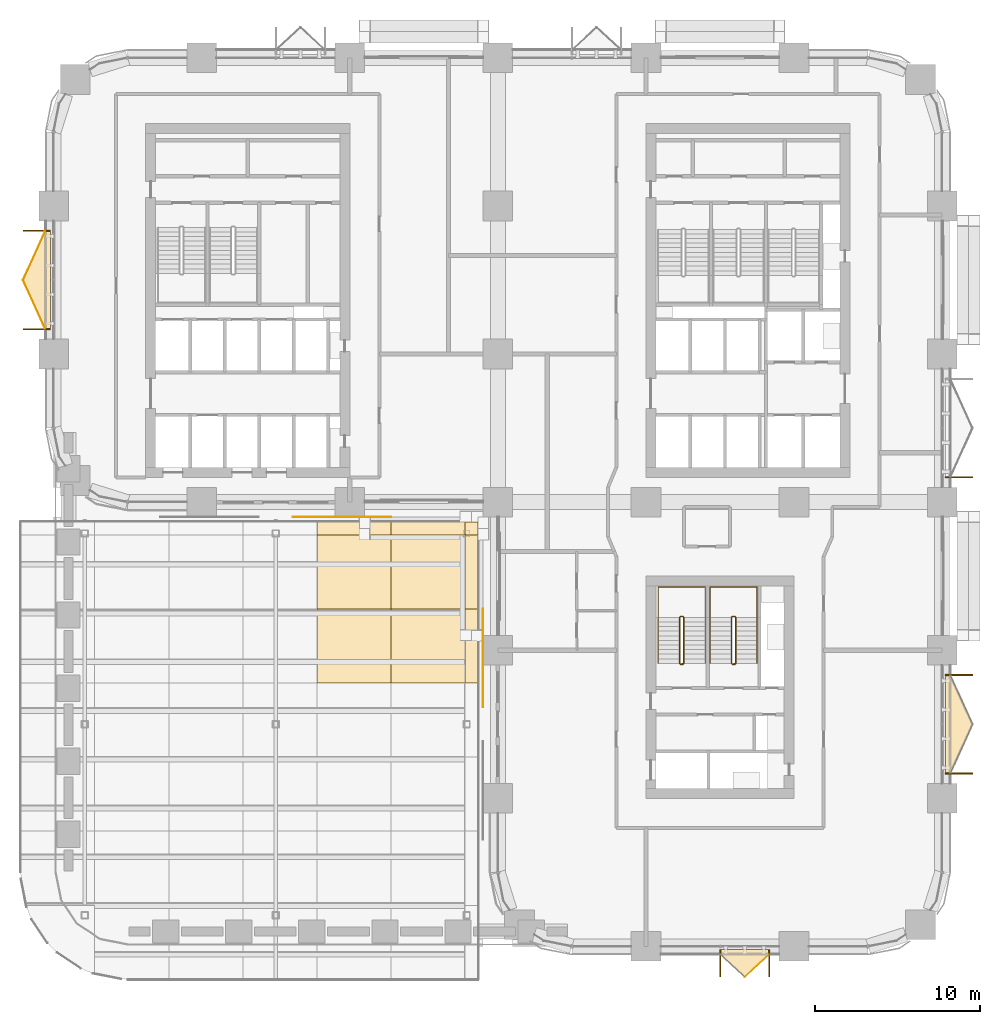
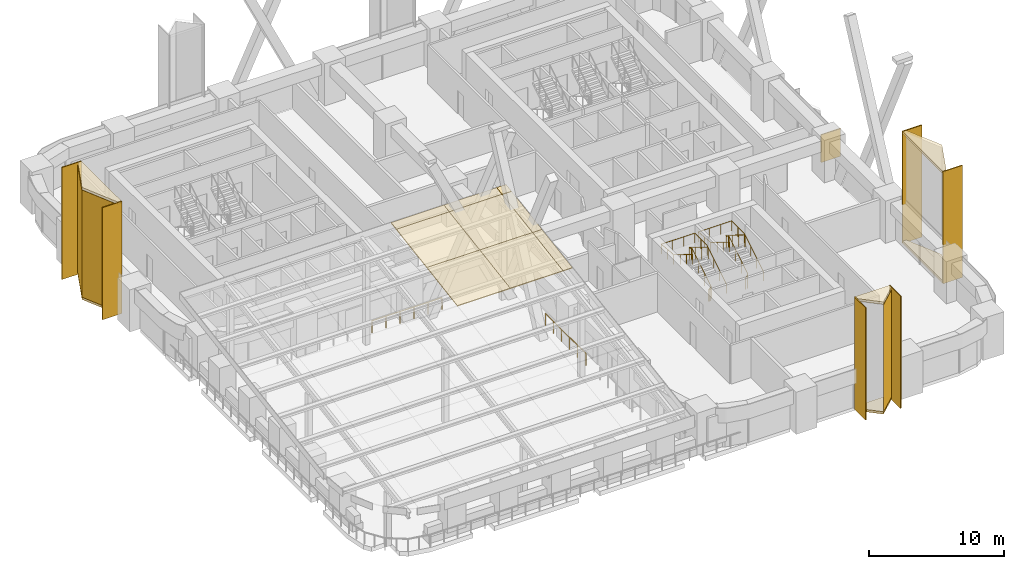
# One storey, part 20 of 22: 25 coverings, 6 railings.
"""IFC4 building model written with IfcOpenShell, lengths in metres."""

from ifc_helpers import new_model, si_unit, direction, frame, origin, origin_2d, place, context, subcontext, project, spatial, polyline, rectangle, circle, outline, extrude, material, layer, layer_set, type_object, element, save


model = new_model("IFC4")

# Units and contexts
model_context = context("Model", 3, precision=1e-05, world=origin(), true_north=direction((0.0, 1.0)))
body_context = subcontext(model_context, "Body", "Model", "MODEL_VIEW")
ifc_project = project(units=[si_unit("LENGTHUNIT", "METRE"), si_unit("AREAUNIT", "SQUARE_METRE"), si_unit("VOLUMEUNIT", "CUBIC_METRE"), si_unit("PLANEANGLEUNIT", "RADIAN"), si_unit("MASSUNIT", "GRAM", prefix="KILO")], contexts=[model_context])

# Site, building, storey
site_placement = place(None, origin())
site = spatial("IfcSite", under=ifc_project, at=site_placement, CompositionType="ELEMENT")
building_placement = place(site_placement, origin())
building = spatial("IfcBuilding", under=site, at=building_placement, Name="Tessera Arch", CompositionType="ELEMENT")
storey_placement = place(building_placement, frame((0.0, 0.0, 77.800048828125)))
storey = spatial("IfcBuildingStorey", under=building, at=storey_placement, Name="L17", CompositionType="ELEMENT", Elevation=77.800048828125)

# Coverings
ifc_material_1 = material(Name="Aluminium cladding pale metal anodised", Category="aluminium")
ifc_layer_1 = layer(ifc_material_1, 0.080078125)
ifc_layer_set_1 = layer_set([ifc_layer_1], Name="Canopy panel pale metal")
covering_type_1 = type_object("IfcCoveringType", Name="Canopy panel pale metal", PredefinedType="CLADDING", material=ifc_layer_set_1)
covering_1_placement = place(storey_placement, frame((20.5, 16.0, 8.05078125), z_axis=(0.0, -0.156468860961, 0.987682892203), x_axis=(0.0, 0.987682892203, 0.156468860961)))
element("IfcCovering", 1, at=covering_1_placement, inside=storey, type_object=covering_type_1, Name="CANOPY T4 panel 5-5", PredefinedType="CLADDING", context=body_context, shape_type="SweptSolid", body=[
    extrude(outline(polyline([(0.0, 0.0), (4.556118198994939, 0.0), (4.556118198994939, 4.5), (0.0, 4.5), (0.0, 0.0)])), origin(), (0.0, 0.0, -1.0), 0.080078125),
])
covering_2_placement = place(storey_placement, frame((20.5, 20.5, 8.763671875), z_axis=(0.0, -0.156416586978, 0.987691172036), x_axis=(0.0, 0.987691172036, 0.156416586978)))
element("IfcCovering", 2, at=covering_2_placement, inside=storey, type_object=covering_type_1, Name="CANOPY T4 panel 5-6", PredefinedType="CLADDING", context=body_context, shape_type="SweptSolid", body=[
    extrude(outline(polyline([(0.0, 0.0), (4.556080004970506, 0.0), (4.556080004970506, 4.5), (0.0, 4.5), (0.0, 0.0)])), origin(), (0.0, 0.0, -1.0), 0.080078125),
])
covering_3_placement = place(storey_placement, frame((16.0, 25.800048828125, 9.60302734375), z_axis=(0.0, -0.15642687598, 0.987689542554), x_axis=(0.0, -0.987689542554, -0.15642687598)))
element("IfcCovering", 3, at=covering_3_placement, inside=storey, type_object=covering_type_1, Name="CANOPY T4 panel 5-7", PredefinedType="CLADDING", context=body_context, shape_type="SweptSolid", body=[
    extrude(outline(polyline([(0.0, 0.0), (0.8100205516562711, 0.0), (0.8100205516562711, 4.5), (0.0, 4.5), (0.0, 0.0)])), origin(), (0.0, 0.0, -1.0), 0.080078125),
])
covering_4_placement = place(storey_placement, frame((25.0, 16.0, 8.05078125), z_axis=(0.0, -0.156468860961, 0.987682892203), x_axis=(0.0, 0.987682892203, 0.156468860961)))
element("IfcCovering", 4, at=covering_4_placement, inside=storey, type_object=covering_type_1, Name="CANOPY T4 panel 6-5", PredefinedType="CLADDING", context=body_context, shape_type="SweptSolid", body=[
    extrude(outline(polyline([(0.0, 0.0), (4.556118198994939, 0.0), (4.556118198994939, 4.5), (0.0, 4.5), (0.0, 0.0)])), origin(), (0.0, 0.0, -1.0), 0.080078125),
])
covering_5_placement = place(storey_placement, frame((25.0, 20.5, 8.763671875), z_axis=(0.0, -0.156416586978, 0.987691172036), x_axis=(0.0, 0.987691172036, 0.156416586978)))
element("IfcCovering", 5, at=covering_5_placement, inside=storey, type_object=covering_type_1, Name="CANOPY T4 panel 6-6", PredefinedType="CLADDING", context=body_context, shape_type="SweptSolid", body=[
    extrude(outline(polyline([(0.0, 0.0), (4.556080004970506, 0.0), (4.556080004970506, 4.5), (0.0, 4.5), (0.0, 0.0)])), origin(), (0.0, 0.0, -1.0), 0.080078125),
])
covering_6_placement = place(storey_placement, frame((20.5, 25.800048828125, 9.60302734375), z_axis=(0.0, -0.15642687598, 0.987689542554), x_axis=(0.0, -0.987689542554, -0.15642687598)))
element("IfcCovering", 6, at=covering_6_placement, inside=storey, type_object=covering_type_1, Name="CANOPY T4 panel 6-7", PredefinedType="CLADDING", context=body_context, shape_type="SweptSolid", body=[
    extrude(outline(polyline([(0.0, 0.0), (0.8100205516562711, 0.0), (0.8100205516562711, 4.5), (0.0, 4.5), (0.0, 0.0)])), origin(), (0.0, 0.0, -1.0), 0.080078125),
])
covering_7_placement = place(storey_placement, frame((25.800048828125, 20.5, 8.763671875), z_axis=(0.0, -0.156468860961, 0.987682892203), x_axis=(-1.0, 0.0, 0.0)))
element("IfcCovering", 7, at=covering_7_placement, inside=storey, type_object=covering_type_1, Name="CANOPY T4 panel 7-5", PredefinedType="CLADDING", context=body_context, shape_type="SweptSolid", body=[
    extrude(outline(polyline([(0.0, 0.0), (0.800048828125, 0.0), (0.800048828125, 4.556118198994938), (0.0, 4.556118198994938), (0.0, 0.0)])), origin(), (0.0, 0.0, -1.0), 0.080078125),
])
covering_8_placement = place(storey_placement, frame((25.800048828125, 25.0, 9.476318359375), z_axis=(0.0, -0.156416586978, 0.987691172036), x_axis=(-1.0, 0.0, 0.0)))
element("IfcCovering", 8, at=covering_8_placement, inside=storey, type_object=covering_type_1, Name="CANOPY T4 panel 7-6", PredefinedType="CLADDING", context=body_context, shape_type="SweptSolid", body=[
    extrude(outline(polyline([(0.0, 0.0), (0.800048828125, 0.0), (0.800048828125, 4.556080004970506), (0.0, 4.556080004970506), (0.0, 0.0)])), origin(), (0.0, 0.0, -1.0), 0.080078125),
])
covering_9_placement = place(storey_placement, frame((25.0, 25.800048828125, 9.60302734375), z_axis=(0.0, -0.15642687598, 0.987689542554), x_axis=(0.0, -0.987689542554, -0.15642687598)))
element("IfcCovering", 9, at=covering_9_placement, inside=storey, type_object=covering_type_1, Name="CANOPY T4 panel 7-7", PredefinedType="CLADDING", context=body_context, shape_type="SweptSolid", body=[
    extrude(outline(polyline([(0.0, 0.0), (0.8100205516562711, 0.0), (0.8100205516562711, 0.800048828125), (0.0, 0.800048828125), (0.0, 0.0)])), origin(), (0.0, 0.0, -1.0), 0.080078125),
])

# Railings
ifc_material_2 = material(Name="Stainless steel and clear glass", Category="steel")
railing_type_1 = type_object("IfcRailingType", Name="Guard 1100", PredefinedType="GUARDRAIL", material=ifc_material_2)
railing_1_placement = place(storey_placement, frame((14.550048828125, 26.10009765625, 0.0)))
element("IfcRailing", 10, at=railing_1_placement, inside=storey, type_object=railing_type_1, Name="Guard terrace wall side 1.2", PredefinedType="GUARDRAIL", context=body_context, shape_type="SweptSolid", body=[
    extrude(circle(Radius=0.02490234375, at=origin_2d()), frame((-0.00390625, 0.0, 1.0751953125), z_axis=(1.0, 0.0, 0.0), x_axis=(0.0, 1.0, 0.0)), (0.0, 0.0, 1.0), 5.9580078125),
    extrude(circle(Radius=0.02001953125, at=origin_2d()), origin(), (0.0, 0.0, 1.0), 1.06201171875),
    extrude(circle(Radius=0.02001953125, at=origin_2d()), frame((1.18994140625, 0.0, 0.0)), (0.0, 0.0, 1.0), 1.06201171875),
    extrude(circle(Radius=0.02001953125, at=origin_2d()), frame((2.3798828125, 0.0, 0.0)), (0.0, 0.0, 1.0), 1.06201171875),
    extrude(circle(Radius=0.02001953125, at=origin_2d()), frame((3.570068359375, 0.0, 0.0)), (0.0, 0.0, 1.0), 1.06201171875),
    extrude(circle(Radius=0.02001953125, at=origin_2d()), frame((4.760009765625, 0.0, 0.0)), (0.0, 0.0, 1.0), 1.06201171875),
    extrude(circle(Radius=0.02001953125, at=origin_2d()), frame((5.949951171875, 0.0, 0.0)), (0.0, 0.0, 1.0), 1.06201171875),
])
railing_2_placement = place(storey_placement, frame((26.10009765625, 20.5, 0.0)))
element("IfcRailing", 11, at=railing_2_placement, inside=storey, type_object=railing_type_1, Name="Guard terrace wall side 1.3", PredefinedType="GUARDRAIL", context=body_context, shape_type="SweptSolid", body=[
    extrude(circle(Radius=0.02490234375, at=origin_2d()), frame((0.0, 0.00390625, 1.0751953125), z_axis=(0.0, -1.0, 0.0), x_axis=(1.0, 0.0, 0.0)), (0.0, 0.0, 1.0), 5.9580078125),
    extrude(circle(Radius=0.02001953125, at=origin_2d()), origin(), (0.0, 0.0, 1.0), 1.06201171875),
    extrude(circle(Radius=0.02001953125, at=origin_2d()), frame((0.0, -1.18994140625, 0.0)), (0.0, 0.0, 1.0), 1.06201171875),
    extrude(circle(Radius=0.02001953125, at=origin_2d()), frame((0.0, -2.3798828125, 0.0)), (0.0, 0.0, 1.0), 1.06201171875),
    extrude(circle(Radius=0.02001953125, at=origin_2d()), frame((0.0, -3.570068359375, 0.0)), (0.0, 0.0, 1.0), 1.06201171875),
    extrude(circle(Radius=0.02001953125, at=origin_2d()), frame((0.0, -4.760009765625, 0.0)), (0.0, 0.0, 1.0), 1.06201171875),
    extrude(circle(Radius=0.02001953125, at=origin_2d()), frame((0.0, -5.949951171875, 0.0)), (0.0, 0.0, 1.0), 1.06201171875),
])
ifc_material_3 = material(Name="Painted steel balustrade", Category="steel")
railing_type_2 = type_object("IfcRailingType", Name="Stair guard 1100", PredefinedType="GUARDRAIL", material=ifc_material_3)
railing_3_placement = place(storey_placement, frame((38.25, 17.14990234375, 0.0)))
element("IfcRailing", 12, at=railing_3_placement, inside=storey, type_object=railing_type_2, Name="L17 S3a stair guard 1", PredefinedType="GUARDRAIL", context=body_context, shape_type="SweptSolid", body=[
    extrude(circle(Radius=0.02392578125, at=origin_2d()), frame((0.00390625, 0.0, 1.076171875), z_axis=(-1.0, 0.0, 0.0), x_axis=(0.0, -1.0, 0.0)), (0.0, 0.0, 1.0), 0.157958984375),
    extrude(circle(Radius=0.02392578125, at=origin_2d()), frame((-0.15283203125, -0.000732421875, 1.073486328125), z_axis=(0.743736083135, 0.18616104645, 0.642028584587), x_axis=(-0.242814311512, 0.970072785993, 0.0)), (0.0, 0.0, 1.0), 0.27685546875),
    extrude(circle(Radius=0.02392578125, at=origin_2d()), frame((0.050048828125, 0.046630859375, 1.24658203125), z_axis=(0.0, 0.851089632645, 0.525020415988), x_axis=(-1.0, 0.0, 0.0)), (0.0, 0.0, 1.0), 3.2978515625),
    extrude(circle(Radius=0.02392578125, at=origin_2d()), frame((0.052978515625, 2.84716796875, 2.97607421875), z_axis=(-0.707106781187, 0.707106781187, 0.0), x_axis=(-0.707106781187, -0.707106781187, 0.0)), (0.0, 0.0, 1.0), 0.078857421875),
    extrude(circle(Radius=0.02392578125, at=origin_2d()), frame((0.00390625, 2.900146484375, 2.97607421875), z_axis=(-1.0, 0.0, 0.0), x_axis=(0.0, -1.0, 0.0)), (0.0, 0.0, 1.0), 0.157958984375),
    extrude(circle(Radius=0.02392578125, at=origin_2d()), frame((-0.14892578125, 2.901123046875, 2.97216796875), z_axis=(-0.267953482034, -0.267953482034, 0.925419830635), x_axis=(0.707106781187, -0.707106781187, 0.0)), (0.0, 0.0, 1.0), 0.19482421875),
    extrude(circle(Radius=0.02392578125, at=origin_2d()), frame((-0.199951171875, 2.853515625, 3.146728515625), z_axis=(0.0, -0.851089632645, 0.525020415988), x_axis=(1.0, 0.0, 0.0)), (0.0, 0.0, 1.0), 3.2978515625),
    extrude(circle(Radius=0.02099609375, at=origin_2d()), origin(), (0.0, 0.0, 1.0), 1.06396484375),
    extrude(circle(Radius=0.02099609375, at=origin_2d()), frame((-0.14990234375, 0.0, 0.0)), (0.0, 0.0, 1.0), 1.06396484375),
    extrude(circle(Radius=0.02099609375, at=origin_2d()), frame((0.050048828125, 0.050048828125, 0.172607421875)), (0.0, 0.0, 1.0), 1.06396484375),
    extrude(circle(Radius=0.02099609375, at=origin_2d()), frame((0.050048828125, 0.9833984375, 0.748291015625)), (0.0, 0.0, 1.0), 1.06396484375),
    extrude(circle(Radius=0.02099609375, at=origin_2d()), frame((0.050048828125, 1.916748046875, 1.32421875)), (0.0, 0.0, 1.0), 1.06396484375),
    extrude(circle(Radius=0.02099609375, at=origin_2d()), frame((0.050048828125, 2.85009765625, 1.89990234375)), (0.0, 0.0, 1.0), 1.06396484375),
    extrude(circle(Radius=0.02099609375, at=origin_2d()), frame((0.0, 2.900146484375, 1.89990234375)), (0.0, 0.0, 1.0), 1.06396484375),
    extrude(circle(Radius=0.02099609375, at=origin_2d()), frame((-0.14990234375, 2.900146484375, 1.89990234375)), (0.0, 0.0, 1.0), 1.06396484375),
    extrude(circle(Radius=0.02099609375, at=origin_2d()), frame((-0.199951171875, 2.85009765625, 2.07275390625)), (0.0, 0.0, 1.0), 1.06396484375),
    extrude(circle(Radius=0.02099609375, at=origin_2d()), frame((-0.199951171875, 1.916748046875, 2.6484375)), (0.0, 0.0, 1.0), 1.06396484375),
    extrude(circle(Radius=0.02099609375, at=origin_2d()), frame((-0.199951171875, 0.9833984375, 3.224365234375)), (0.0, 0.0, 1.0), 1.06396484375),
    extrude(circle(Radius=0.02099609375, at=origin_2d()), frame((-0.199951171875, 0.050048828125, 3.800048828125)), (0.0, 0.0, 1.0), 1.06396484375),
])
railing_4_placement = place(storey_placement, frame((41.39990234375, 17.14990234375, 0.0)))
element("IfcRailing", 13, at=railing_4_placement, inside=storey, type_object=railing_type_2, Name="L17 S3b stair guard 1", PredefinedType="GUARDRAIL", context=body_context, shape_type="SweptSolid", body=[
    extrude(circle(Radius=0.02392578125, at=origin_2d()), frame((0.00390625, 0.0, 1.076171875), z_axis=(-1.0, 0.0, 0.0), x_axis=(0.0, -1.0, 0.0)), (0.0, 0.0, 1.0), 0.157958984375),
    extrude(circle(Radius=0.02392578125, at=origin_2d()), frame((-0.15283203125, -0.000732421875, 1.073486328125), z_axis=(0.743736083135, 0.18616104645, 0.642028584587), x_axis=(-0.242814311512, 0.970072785993, 0.0)), (0.0, 0.0, 1.0), 0.27685546875),
    extrude(circle(Radius=0.02392578125, at=origin_2d()), frame((0.050048828125, 0.046630859375, 1.24658203125), z_axis=(0.0, 0.851089632645, 0.525020415988), x_axis=(-1.0, 0.0, 0.0)), (0.0, 0.0, 1.0), 3.2978515625),
    extrude(circle(Radius=0.02392578125, at=origin_2d()), frame((0.052978515625, 2.84716796875, 2.97607421875), z_axis=(-0.707106781187, 0.707106781187, 0.0), x_axis=(-0.707106781187, -0.707106781187, 0.0)), (0.0, 0.0, 1.0), 0.078857421875),
    extrude(circle(Radius=0.02392578125, at=origin_2d()), frame((0.00390625, 2.900146484375, 2.97607421875), z_axis=(-1.0, 0.0, 0.0), x_axis=(0.0, -1.0, 0.0)), (0.0, 0.0, 1.0), 0.157958984375),
    extrude(circle(Radius=0.02392578125, at=origin_2d()), frame((-0.14892578125, 2.901123046875, 2.97216796875), z_axis=(-0.267953482034, -0.267953482034, 0.925419830635), x_axis=(0.707106781187, -0.707106781187, 0.0)), (0.0, 0.0, 1.0), 0.19482421875),
    extrude(circle(Radius=0.02392578125, at=origin_2d()), frame((-0.199951171875, 2.853515625, 3.146728515625), z_axis=(0.0, -0.851089632645, 0.525020415988), x_axis=(1.0, 0.0, 0.0)), (0.0, 0.0, 1.0), 3.2978515625),
    extrude(circle(Radius=0.02099609375, at=origin_2d()), origin(), (0.0, 0.0, 1.0), 1.06396484375),
    extrude(circle(Radius=0.02099609375, at=origin_2d()), frame((-0.14990234375, 0.0, 0.0)), (0.0, 0.0, 1.0), 1.06396484375),
    extrude(circle(Radius=0.02099609375, at=origin_2d()), frame((0.050048828125, 0.050048828125, 0.172607421875)), (0.0, 0.0, 1.0), 1.06396484375),
    extrude(circle(Radius=0.02099609375, at=origin_2d()), frame((0.050048828125, 0.9833984375, 0.748291015625)), (0.0, 0.0, 1.0), 1.06396484375),
    extrude(circle(Radius=0.02099609375, at=origin_2d()), frame((0.050048828125, 1.916748046875, 1.32421875)), (0.0, 0.0, 1.0), 1.06396484375),
    extrude(circle(Radius=0.02099609375, at=origin_2d()), frame((0.050048828125, 2.85009765625, 1.89990234375)), (0.0, 0.0, 1.0), 1.06396484375),
    extrude(circle(Radius=0.02099609375, at=origin_2d()), frame((0.0, 2.900146484375, 1.89990234375)), (0.0, 0.0, 1.0), 1.06396484375),
    extrude(circle(Radius=0.02099609375, at=origin_2d()), frame((-0.14990234375, 2.900146484375, 1.89990234375)), (0.0, 0.0, 1.0), 1.06396484375),
    extrude(circle(Radius=0.02099609375, at=origin_2d()), frame((-0.199951171875, 2.85009765625, 2.07275390625)), (0.0, 0.0, 1.0), 1.06396484375),
    extrude(circle(Radius=0.02099609375, at=origin_2d()), frame((-0.199951171875, 1.916748046875, 2.6484375)), (0.0, 0.0, 1.0), 1.06396484375),
    extrude(circle(Radius=0.02099609375, at=origin_2d()), frame((-0.199951171875, 0.9833984375, 3.224365234375)), (0.0, 0.0, 1.0), 1.06396484375),
    extrude(circle(Radius=0.02099609375, at=origin_2d()), frame((-0.199951171875, 0.050048828125, 3.800048828125)), (0.0, 0.0, 1.0), 1.06396484375),
])
ifc_material_4 = material(Name="Painted steel handrail", Category="steel")
railing_type_3 = type_object("IfcRailingType", Name="Stair handrail 900", PredefinedType="HANDRAIL", material=ifc_material_4)
railing_5_placement = place(storey_placement, frame((39.60009765625, 17.199951171875, 0.172607421875)))
element("IfcRailing", 14, at=railing_5_placement, inside=storey, type_object=railing_type_3, Name="L17 S3a stair handrail", PredefinedType="HANDRAIL", context=body_context, shape_type="SweptSolid", body=[
    extrude(circle(Radius=0.02392578125, at=origin_2d()), frame((0.0, -0.00341796875, 0.873779296875), z_axis=(0.0, 0.851089632645, 0.525020415988), x_axis=(-1.0, 0.0, 0.0)), (0.0, 0.0, 1.0), 3.2978515625),
    extrude(circle(Radius=0.02392578125, at=origin_2d()), frame((0.0, 2.796142578125, 2.60302734375), z_axis=(0.0, 1.0, 0.0), x_axis=(-1.0, 0.0, 0.0)), (0.0, 0.0, 1.0), 1.858154296875),
    extrude(circle(Radius=0.02392578125, at=origin_2d()), frame((0.00390625, 4.650146484375, 2.60302734375), z_axis=(-1.0, 0.0, 0.0), x_axis=(0.0, -1.0, 0.0)), (0.0, 0.0, 1.0), 2.858154296875),
    extrude(circle(Radius=0.02392578125, at=origin_2d()), frame((-2.85009765625, 4.654052734375, 2.602783203125), z_axis=(0.0, -0.99566393824, 0.093023234135), x_axis=(1.0, 0.0, 0.0)), (0.0, 0.0, 1.0), 1.8662109375),
    extrude(circle(Radius=0.02392578125, at=origin_2d()), frame((-2.85009765625, 2.803466796875, 2.77392578125), z_axis=(0.0, -0.851089632645, 0.525020415988), x_axis=(1.0, 0.0, 0.0)), (0.0, 0.0, 1.0), 3.2978515625),
    extrude(circle(Radius=0.02099609375, at=origin_2d()), origin(), (0.0, 0.0, 1.0), 0.86376953125),
    extrude(circle(Radius=0.02099609375, at=origin_2d()), frame((0.0, 0.933349609375, 0.57568359375)), (0.0, 0.0, 1.0), 0.86376953125),
    extrude(circle(Radius=0.02099609375, at=origin_2d()), frame((0.0, 1.86669921875, 1.151611328125)), (0.0, 0.0, 1.0), 0.86376953125),
    extrude(circle(Radius=0.02099609375, at=origin_2d()), frame((0.0, 2.800048828125, 1.727294921875)), (0.0, 0.0, 1.0), 0.86376953125),
    extrude(circle(Radius=0.02099609375, at=origin_2d()), frame((0.0, 3.72509765625, 1.727294921875)), (0.0, 0.0, 1.0), 0.86376953125),
    extrude(circle(Radius=0.02099609375, at=origin_2d()), frame((0.0, 4.650146484375, 1.727294921875)), (0.0, 0.0, 1.0), 0.86376953125),
    extrude(circle(Radius=0.02099609375, at=origin_2d()), frame((-0.949951171875, 4.650146484375, 1.727294921875)), (0.0, 0.0, 1.0), 0.86376953125),
    extrude(circle(Radius=0.02099609375, at=origin_2d()), frame((-1.900146484375, 4.650146484375, 1.727294921875)), (0.0, 0.0, 1.0), 0.86376953125),
    extrude(circle(Radius=0.02099609375, at=origin_2d()), frame((-2.85009765625, 4.650146484375, 1.727294921875)), (0.0, 0.0, 1.0), 0.86376953125),
    extrude(circle(Radius=0.02099609375, at=origin_2d()), frame((-2.85009765625, 3.72509765625, 1.813720703125)), (0.0, 0.0, 1.0), 0.86376953125),
    extrude(circle(Radius=0.02099609375, at=origin_2d()), frame((-2.85009765625, 2.800048828125, 1.900146484375)), (0.0, 0.0, 1.0), 0.86376953125),
    extrude(circle(Radius=0.02099609375, at=origin_2d()), frame((-2.85009765625, 1.86669921875, 2.475830078125)), (0.0, 0.0, 1.0), 0.86376953125),
    extrude(circle(Radius=0.02099609375, at=origin_2d()), frame((-2.85009765625, 0.933349609375, 3.0517578125)), (0.0, 0.0, 1.0), 0.86376953125),
    extrude(circle(Radius=0.02099609375, at=origin_2d()), frame((-2.85009765625, 0.0, 3.62744140625)), (0.0, 0.0, 1.0), 0.86376953125),
])
railing_6_placement = place(storey_placement, frame((42.75, 17.199951171875, 0.172607421875)))
element("IfcRailing", 15, at=railing_6_placement, inside=storey, type_object=railing_type_3, Name="L17 S3b stair handrail", PredefinedType="HANDRAIL", context=body_context, shape_type="SweptSolid", body=[
    extrude(circle(Radius=0.02392578125, at=origin_2d()), frame((0.0, -0.00341796875, 0.873779296875), z_axis=(0.0, 0.851089632645, 0.525020415988), x_axis=(-1.0, 0.0, 0.0)), (0.0, 0.0, 1.0), 3.2978515625),
    extrude(circle(Radius=0.02392578125, at=origin_2d()), frame((0.0, 2.796142578125, 2.60302734375), z_axis=(0.0, 1.0, 0.0), x_axis=(-1.0, 0.0, 0.0)), (0.0, 0.0, 1.0), 1.858154296875),
    extrude(circle(Radius=0.02392578125, at=origin_2d()), frame((0.00390625, 4.650146484375, 2.60302734375), z_axis=(-1.0, 0.0, 0.0), x_axis=(0.0, -1.0, 0.0)), (0.0, 0.0, 1.0), 2.858154296875),
    extrude(circle(Radius=0.02392578125, at=origin_2d()), frame((-2.85009765625, 4.654052734375, 2.602783203125), z_axis=(0.0, -0.99566393824, 0.093023234135), x_axis=(1.0, 0.0, 0.0)), (0.0, 0.0, 1.0), 1.8662109375),
    extrude(circle(Radius=0.02392578125, at=origin_2d()), frame((-2.85009765625, 2.803466796875, 2.77392578125), z_axis=(0.0, -0.851089632645, 0.525020415988), x_axis=(1.0, 0.0, 0.0)), (0.0, 0.0, 1.0), 3.2978515625),
    extrude(circle(Radius=0.02099609375, at=origin_2d()), origin(), (0.0, 0.0, 1.0), 0.86376953125),
    extrude(circle(Radius=0.02099609375, at=origin_2d()), frame((0.0, 0.933349609375, 0.57568359375)), (0.0, 0.0, 1.0), 0.86376953125),
    extrude(circle(Radius=0.02099609375, at=origin_2d()), frame((0.0, 1.86669921875, 1.151611328125)), (0.0, 0.0, 1.0), 0.86376953125),
    extrude(circle(Radius=0.02099609375, at=origin_2d()), frame((0.0, 2.800048828125, 1.727294921875)), (0.0, 0.0, 1.0), 0.86376953125),
    extrude(circle(Radius=0.02099609375, at=origin_2d()), frame((0.0, 3.72509765625, 1.727294921875)), (0.0, 0.0, 1.0), 0.86376953125),
    extrude(circle(Radius=0.02099609375, at=origin_2d()), frame((0.0, 4.650146484375, 1.727294921875)), (0.0, 0.0, 1.0), 0.86376953125),
    extrude(circle(Radius=0.02099609375, at=origin_2d()), frame((-0.949951171875, 4.650146484375, 1.727294921875)), (0.0, 0.0, 1.0), 0.86376953125),
    extrude(circle(Radius=0.02099609375, at=origin_2d()), frame((-1.900146484375, 4.650146484375, 1.727294921875)), (0.0, 0.0, 1.0), 0.86376953125),
    extrude(circle(Radius=0.02099609375, at=origin_2d()), frame((-2.85009765625, 4.650146484375, 1.727294921875)), (0.0, 0.0, 1.0), 0.86376953125),
    extrude(circle(Radius=0.02099609375, at=origin_2d()), frame((-2.85009765625, 3.72509765625, 1.813720703125)), (0.0, 0.0, 1.0), 0.86376953125),
    extrude(circle(Radius=0.02099609375, at=origin_2d()), frame((-2.85009765625, 2.800048828125, 1.900146484375)), (0.0, 0.0, 1.0), 0.86376953125),
    extrude(circle(Radius=0.02099609375, at=origin_2d()), frame((-2.85009765625, 1.86669921875, 2.475830078125)), (0.0, 0.0, 1.0), 0.86376953125),
    extrude(circle(Radius=0.02099609375, at=origin_2d()), frame((-2.85009765625, 0.933349609375, 3.0517578125)), (0.0, 0.0, 1.0), 0.86376953125),
    extrude(circle(Radius=0.02099609375, at=origin_2d()), frame((-2.85009765625, 0.0, 3.62744140625)), (0.0, 0.0, 1.0), 0.86376953125),
])

# Coverings
ifc_material_5 = material(Name="Anodised aluminium pale metal", Category="aluminium")
ifc_layer_2 = layer(ifc_material_5, 0.080078125)
ifc_layer_set_2 = layer_set([ifc_layer_2], Name="Window box cheek")
covering_type_2 = type_object("IfcCoveringType", Name="Window box cheek", PredefinedType="CLADDING", material=ifc_layer_set_2)
covering_10_placement = place(storey_placement, origin())
element("IfcCovering", 16, at=covering_10_placement, inside=storey, type_object=covering_type_2, Name="Window box E54.0/1.0 2x3 cheek", PredefinedType="CLADDING", context=body_context, shape_type="SweptSolid", body=[
    extrude(outline(polyline([(55.85009765625, 10.469970703125), (55.85009765625, 10.550048828125), (54.199951171875, 10.550048828125), (54.199951171875, 10.469970703125), (55.85009765625, 10.469970703125)])), origin(), (0.0, 0.0, 1.0), 10.099853515625),
])
covering_11_placement = place(storey_placement, origin())
element("IfcCovering", 17, at=covering_11_placement, inside=storey, type_object=covering_type_2, Name="Window box E54.0/1.0 2x3 cheek", PredefinedType="CLADDING", context=body_context, shape_type="SweptSolid", body=[
    extrude(outline(polyline([(55.85009765625, 16.449951171875), (55.85009765625, 16.530029296875), (54.199951171875, 16.530029296875), (54.199951171875, 16.449951171875), (55.85009765625, 16.449951171875)])), origin(), (0.0, 0.0, 1.0), 10.099853515625),
])
covering_12_placement = place(storey_placement, origin())
element("IfcCovering", 18, at=covering_12_placement, inside=storey, type_object=covering_type_2, Name="Window box W0.27/1.0 2x3 cheek", PredefinedType="CLADDING", context=body_context, shape_type="SweptSolid", body=[
    extrude(outline(polyline([(-1.85009765625, 43.530029296875), (-1.85009765625, 43.449951171875), (-0.199951171875, 43.449951171875), (-0.199951171875, 43.530029296875), (-1.85009765625, 43.530029296875)])), origin(), (0.0, 0.0, 1.0), 10.099853515625),
])
covering_13_placement = place(storey_placement, origin())
element("IfcCovering", 19, at=covering_13_placement, inside=storey, type_object=covering_type_2, Name="Window box W0.27/1.0 2x3 cheek", PredefinedType="CLADDING", context=body_context, shape_type="SweptSolid", body=[
    extrude(outline(polyline([(-1.85009765625, 37.550048828125), (-1.85009765625, 37.469970703125), (-0.199951171875, 37.469970703125), (-0.199951171875, 37.550048828125), (-1.85009765625, 37.550048828125)])), origin(), (0.0, 0.0, 1.0), 10.099853515625),
])
covering_14_placement = place(storey_placement, origin())
element("IfcCovering", 20, at=covering_14_placement, inside=storey, type_object=covering_type_2, Name="Window box E54.0/3.0 2x1 cheek", PredefinedType="CLADDING", context=body_context, shape_type="SweptSolid", body=[
    extrude(outline(polyline([(55.85009765625, 28.469970703125), (55.85009765625, 28.550048828125), (54.199951171875, 28.550048828125), (54.199951171875, 28.469970703125), (55.85009765625, 28.469970703125)])), origin(), (0.0, 0.0, 1.0), 2.5),
])
covering_15_placement = place(storey_placement, origin())
element("IfcCovering", 21, at=covering_15_placement, inside=storey, type_object=covering_type_2, Name="Window box S0.27/1.1 1x3 cheek", PredefinedType="CLADDING", context=body_context, shape_type="SweptSolid", body=[
    extrude(outline(polyline([(40.469970703125, -1.85009765625), (40.550048828125, -1.85009765625), (40.550048828125, -0.199951171875), (40.469970703125, -0.199951171875), (40.469970703125, -1.85009765625)])), origin(), (0.0, 0.0, 1.0), 10.099853515625),
])
covering_16_placement = place(storey_placement, origin())
element("IfcCovering", 22, at=covering_16_placement, inside=storey, type_object=covering_type_2, Name="Window box S0.27/1.1 1x3 cheek", PredefinedType="CLADDING", context=body_context, shape_type="SweptSolid", body=[
    extrude(outline(polyline([(43.449951171875, -1.85009765625), (43.530029296875, -1.85009765625), (43.530029296875, -0.199951171875), (43.449951171875, -0.199951171875), (43.449951171875, -1.85009765625)])), origin(), (0.0, 0.0, 1.0), 10.099853515625),
])
ifc_material_6 = material(Name="Anodised aluminium cobalt blue", Category="aluminium")
ifc_layer_3 = layer(ifc_material_6, 0.219970703125)
ifc_layer_set_3 = layer_set([ifc_layer_3], Name="Window box frame plate cobalt")
covering_type_3 = type_object("IfcCoveringType", Name="Window box frame plate cobalt", PredefinedType="CLADDING", material=ifc_layer_set_3)
for number, where, name in (
    (23, (0.0, 0.0, 0.0), "Window box E54.0/1.0 2x3 floor"),
    (24, (0.0, 0.0, 9.8798828125), "Window box E54.0/1.0 2x3 roof"),
):
    element("IfcCovering", number, at=place(storey_placement, frame(where)), inside=storey, type_object=covering_type_3, Name=name, PredefinedType="CLADDING", context=body_context, shape_type="SweptSolid", body=[
        extrude(outline(polyline([(54.510009765625, 10.550048828125), (55.85009765625, 13.5), (54.510009765625, 16.449951171875), (54.199951171875, 16.449951171875), (54.199951171875, 10.550048828125), (54.510009765625, 10.550048828125)])), origin(), (0.0, 0.0, 1.0), 0.219970703125),
    ])
ifc_material_7 = material(Name="Anodised aluminium gold", Category="aluminium")
ifc_layer_4 = layer(ifc_material_7, 0.219970703125)
ifc_layer_set_4 = layer_set([ifc_layer_4], Name="Window box frame plate gold")
covering_type_4 = type_object("IfcCoveringType", Name="Window box frame plate gold", PredefinedType="CLADDING", material=ifc_layer_set_4)
for number, where, name in (
    (25, (0.0, 0.0, 0.0), "Window box S0.27/1.1 1x3 floor"),
    (26, (0.0, 0.0, 9.8798828125), "Window box S0.27/1.1 1x3 roof"),
):
    element("IfcCovering", number, at=place(storey_placement, frame(where)), inside=storey, type_object=covering_type_4, Name=name, PredefinedType="CLADDING", context=body_context, shape_type="SweptSolid", body=[
        extrude(outline(polyline([(40.550048828125, -0.510009765625), (42.0, -1.85009765625), (43.449951171875, -0.510009765625), (43.449951171875, -0.199951171875), (40.550048828125, -0.199951171875), (40.550048828125, -0.510009765625)])), origin(), (0.0, 0.0, 1.0), 0.219970703125),
    ])
ifc_material_8 = material(Name="Anodised aluminium pale metal", Category="aluminium")
ifc_layer_5 = layer(ifc_material_8, 0.219970703125)
ifc_layer_set_5 = layer_set([ifc_layer_5], Name="Window box frame plate pale metal")
covering_type_5 = type_object("IfcCoveringType", Name="Window box frame plate pale metal", PredefinedType="CLADDING", material=ifc_layer_set_5)
for number, where, name in (
    (27, (0.0, 0.0, 0.0), "Window box W0.27/1.0 2x3 floor"),
    (28, (0.0, 0.0, 9.8798828125), "Window box W0.27/1.0 2x3 roof"),
):
    element("IfcCovering", number, at=place(storey_placement, frame(where)), inside=storey, type_object=covering_type_5, Name=name, PredefinedType="CLADDING", context=body_context, shape_type="SweptSolid", body=[
        extrude(outline(polyline([(-0.510009765625, 43.449951171875), (-1.85009765625, 40.5), (-0.510009765625, 37.550048828125), (-0.199951171875, 37.550048828125), (-0.199951171875, 43.449951171875), (-0.510009765625, 43.449951171875)])), origin(), (0.0, 0.0, 1.0), 0.219970703125),
    ])
ifc_material_9 = material(Name="Anodised aluminium pale metal", Category="aluminium")
ifc_layer_6 = layer(ifc_material_9, 0.028076171875)
ifc_layer_set_6 = layer_set([ifc_layer_6], Name="Window box side panel")
covering_type_6 = type_object("IfcCoveringType", Name="Window box side panel", PredefinedType="CLADDING", material=ifc_layer_set_6)
for number, where, z_axis, x_axis, name in (
    (29, (-1.179931640625, 41.97509765625, 0.22021484375), (0.0, 0.0, 1.0), (-0.413570397858, -0.910472144558, 0.0), "Window box W0.27/1.0 2x3 side panel"),
    (30, (-1.179931640625, 39.02490234375, 0.22021484375), (0.0, 0.0, 1.0), (-0.413570397858, 0.910472144558, 0.0), "Window box W0.27/1.0 2x3 side panel"),
):
    element("IfcCovering", number, at=place(storey_placement, frame(where, z_axis=z_axis, x_axis=x_axis)), inside=storey, type_object=covering_type_6, Name=name, PredefinedType="CLADDING", context=body_context, shape_type="SweptSolid", body=[
        extrude(rectangle(XDim=3.239990234375, YDim=0.028076171875, at=origin_2d()), origin(), (0.0, 0.0, 1.0), 9.659912109375),
    ])
covering_17_placement = place(storey_placement, frame((42.72509765625, -1.179931640625, 0.22021484375), z_axis=(0.0, 0.0, 1.0), x_axis=(-0.734414958885, -0.678700720617, 0.0)))
element("IfcCovering", 31, at=covering_17_placement, inside=storey, type_object=covering_type_6, Name="Window box S0.27/1.1 1x3 side panel", PredefinedType="CLADDING", context=body_context, shape_type="SweptSolid", body=[
    extrude(rectangle(XDim=1.974365234375, YDim=0.028076171875, at=origin_2d()), origin(), (0.0, 0.0, 1.0), 9.659912109375),
])

save(model, "model.ifc")
